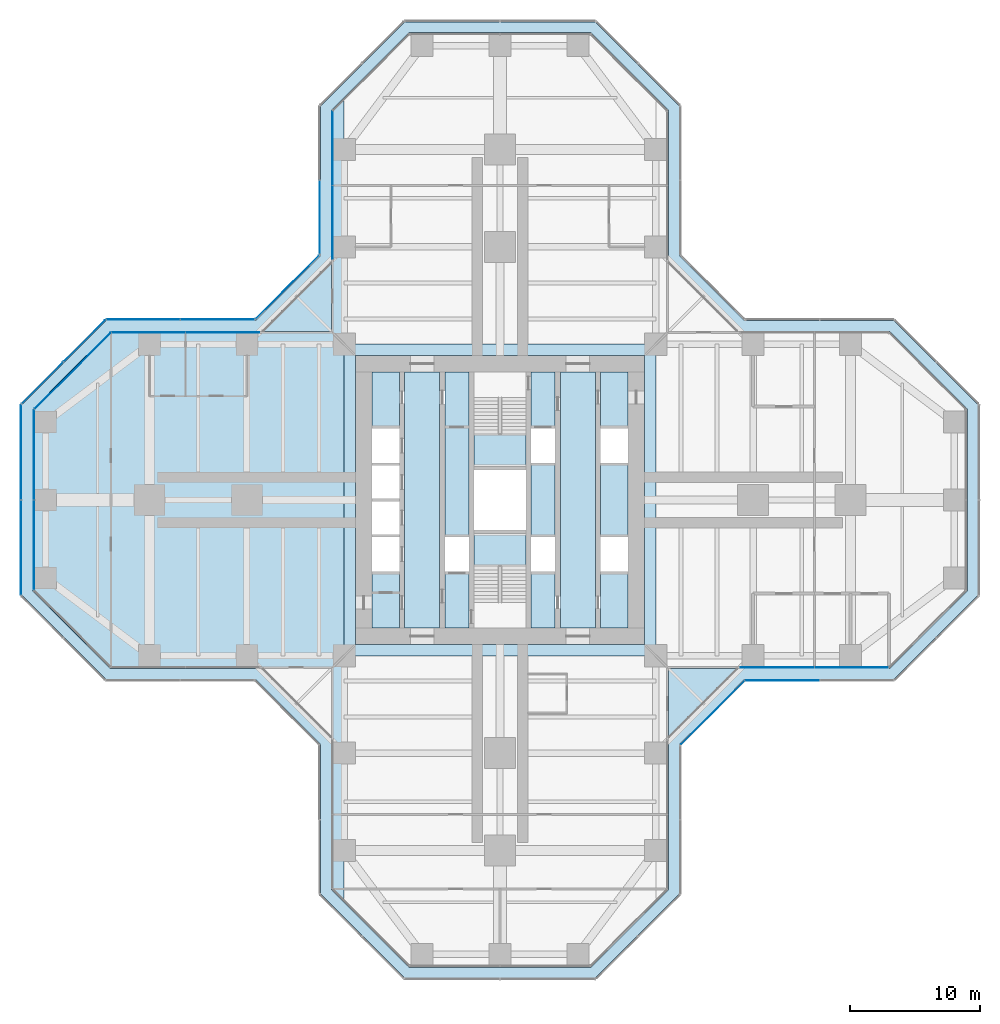
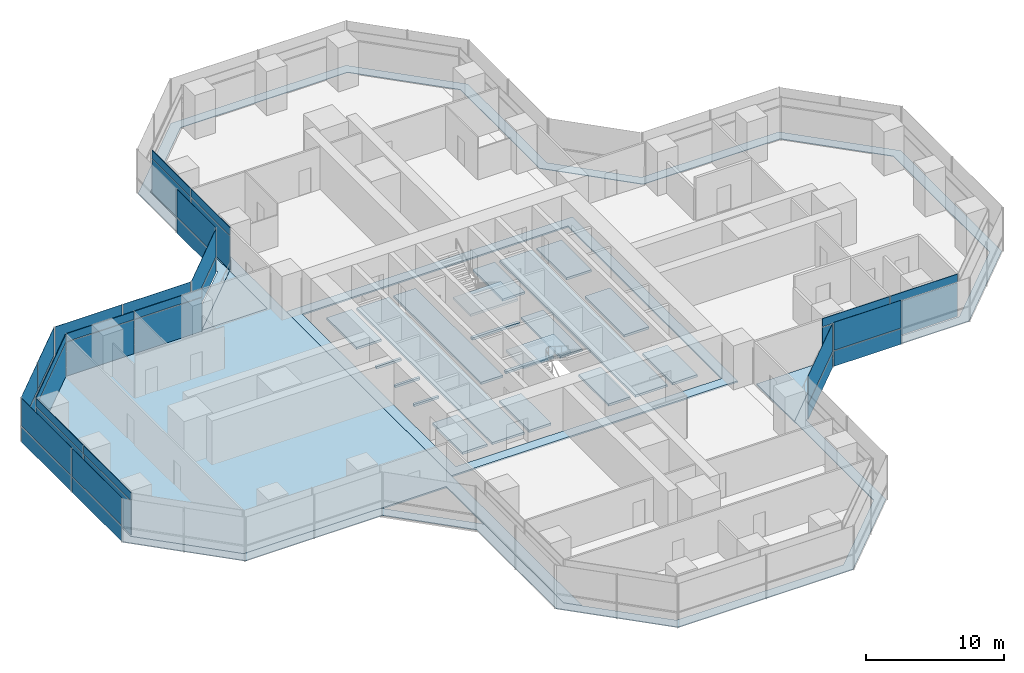
# One storey, part 15 of 22: 39 plates, 7 slabs, 14 elements without a shape of their own.
"""IFC4 building model written with IfcOpenShell, lengths in metres."""

from ifc_helpers import new_model, si_unit, direction, frame, origin, origin_2d, place, context, subcontext, project, spatial, polyline, rectangle, outline, extrude, material, layer, layer_set, type_object, element, aggregate, save


model = new_model("IFC4")

# Units and contexts
model_context = context("Model", 3, precision=1e-05, world=origin(), true_north=direction((0.0, 1.0)))
body_context = subcontext(model_context, "Body", "Model", "MODEL_VIEW")
ifc_project = project(units=[si_unit("LENGTHUNIT", "METRE"), si_unit("AREAUNIT", "SQUARE_METRE"), si_unit("VOLUMEUNIT", "CUBIC_METRE"), si_unit("PLANEANGLEUNIT", "RADIAN"), si_unit("MASSUNIT", "GRAM", prefix="KILO")], contexts=[model_context])

# Site, building, storey
site_placement = place(None, origin())
site = spatial("IfcSite", under=ifc_project, at=site_placement, CompositionType="ELEMENT")
building_placement = place(site_placement, origin())
building = spatial("IfcBuilding", under=site, at=building_placement, Name="Mizan Broadcast Tower", CompositionType="ELEMENT")
storey_placement = place(building_placement, frame((0.0, 0.0, 78.60009765625)))
storey = spatial("IfcBuildingStorey", under=building, at=storey_placement, Name="L16", CompositionType="ELEMENT", Elevation=78.60009765625)

# Plate
ifc_material_1 = material(Name="Aluminium grating", Category="aluminium")
ifc_layer_1 = layer(ifc_material_1, 0.050048828125)
ifc_layer_set_1 = layer_set([ifc_layer_1], Name="Aluminium grating")
plate_type_1 = type_object("IfcPlateType", Name="CAVITY GRATING", PredefinedType="USERDEFINED", material=ifc_layer_set_1)
plate_1_placement = place(storey_placement, frame((0.0, 0.0, -0.050048828125)))
element("IfcPlate", 1, at=plate_1_placement, inside=storey, type_object=plate_type_1, Name="Cavity grating L16", ObjectType="GRATING", PredefinedType="USERDEFINED", context=body_context, shape_type="SweptSolid", body=[
    extrude(outline(polyline([(13.820068359375, -18.839599609375), (18.839599609375, -13.820068359375), (30.339599609375, -13.820068359375), (36.820068359375, -7.339599609375), (36.820068359375, 7.339599609375), (30.339599609375, 13.820068359375), (18.839599609375, 13.820068359375), (13.820068359375, 18.839599609375), (13.820068359375, 30.339599609375), (7.339599609375, 36.820068359375), (-7.339599609375, 36.820068359375), (-13.820068359375, 30.339599609375), (-13.820068359375, 18.839599609375), (-18.839599609375, 13.820068359375), (-30.339599609375, 13.820068359375), (-36.820068359375, 7.339599609375), (-36.820068359375, -7.339599609375), (-30.339599609375, -13.820068359375), (-18.839599609375, -13.820068359375), (-13.820068359375, -18.839599609375), (-13.820068359375, -30.339599609375), (-7.339599609375, -36.820068359375), (7.339599609375, -36.820068359375), (13.820068359375, -30.339599609375), (13.820068359375, -18.839599609375)]), holes=[polyline([(36.0, 7.0), (36.0, -7.0), (30.0, -13.0), (18.5, -13.0), (13.0, -18.5), (13.0, -30.0), (7.0, -36.0), (-7.0, -36.0), (-13.0, -30.0), (-13.0, -18.5), (-18.5, -13.0), (-30.0, -13.0), (-36.0, -7.0), (-36.0, 7.0), (-30.0, 13.0), (-18.5, 13.0), (-13.0, 18.5), (-13.0, 30.0), (-7.0, 36.0), (7.0, 36.0), (13.0, 30.0), (13.0, 18.5), (18.5, 13.0), (30.0, 13.0), (36.0, 7.0)])]), origin(), (0.0, 0.0, 1.0), 0.050048828125),
])

# Slabs
ifc_material_2 = material(Name="Concrete C32/40", Category="concrete")
ifc_layer_2 = layer(ifc_material_2, 0.1298828125)
ifc_layer_set_2 = layer_set([ifc_layer_2], Name="Concrete C32/40")
slab_type_1 = type_object("IfcSlabType", Name="COMPOSITE DECK SLAB 130", PredefinedType="FLOOR", material=ifc_layer_set_2)
slab_1_placement = place(storey_placement, frame((0.0, 0.0, -0.130126953125)))
element("IfcSlab", 2, at=slab_1_placement, inside=storey, type_object=slab_type_1, Name="Floor slab L16 centre", PredefinedType="FLOOR", context=body_context, shape_type="SweptSolid", body=[
    extrude(outline(polyline([(-12.0, -12.0), (12.0, -12.0), (12.0, 12.0), (-12.0, 12.0), (-12.0, -12.0)]), holes=[polyline([(-11.14990234375, 11.14990234375), (11.14990234375, 11.14990234375), (11.14990234375, -11.14990234375), (-11.14990234375, -11.14990234375), (-11.14990234375, 11.14990234375)])]), origin(), (0.0, 0.0, 1.0), 0.130126953125),
])
slab_2_placement = place(storey_placement, frame((0.0, 0.0, -0.130126953125)))
element("IfcSlab", 3, at=slab_2_placement, inside=storey, type_object=slab_type_1, Name="Floor slab L16 west arm", PredefinedType="FLOOR", context=body_context, shape_type="SweptSolid", body=[
    extrude(outline(polyline([(-13.0, -30.0), (-12.0, -31.0), (-12.0, 31.0), (-13.0, 30.0), (-13.0, 13.0), (-30.0, 13.0), (-36.0, 7.0), (-36.0, -7.0), (-30.0, -13.0), (-13.0, -13.0), (-13.0, -30.0)])), origin(), (0.0, 0.0, 1.0), 0.130126953125),
])
ifc_material_3 = material(Name="Concrete C40/50", Category="concrete")
ifc_layer_3 = layer(ifc_material_3, 0.199951171875)
ifc_layer_set_3 = layer_set([ifc_layer_3], Name="Concrete C40/50")
slab_type_2 = type_object("IfcSlabType", Name="CORE FLOOR 200", PredefinedType="FLOOR", material=ifc_layer_set_3)
slab_3_placement = place(storey_placement, frame((0.0, 0.0, -0.2001953125)))
element("IfcSlab", 4, at=slab_3_placement, inside=storey, type_object=slab_type_2, Name="Core floor L16", PredefinedType="FLOOR", context=body_context, shape_type="SweptSolid", body=[
    extrude(outline(polyline([(-9.85009765625, -9.85009765625), (-7.75, -9.85009765625), (-7.75, -5.5), (-9.85009765625, -5.5), (-9.85009765625, -9.85009765625)])), origin(), (0.0, 0.0, 1.0), 0.2001953125),
    extrude(outline(polyline([(-9.85009765625, -2.85009765625), (-7.75, -2.85009765625), (-7.75, -2.64990234375), (-9.85009765625, -2.64990234375), (-9.85009765625, -2.85009765625)])), origin(), (0.0, 0.0, 1.0), 0.2001953125),
    extrude(outline(polyline([(-9.85009765625, -0.10009765625), (-7.75, -0.10009765625), (-7.75, 0.10009765625), (-9.85009765625, 0.10009765625), (-9.85009765625, -0.10009765625)])), origin(), (0.0, 0.0, 1.0), 0.2001953125),
    extrude(outline(polyline([(-9.85009765625, 2.64990234375), (-7.75, 2.64990234375), (-7.75, 2.85009765625), (-9.85009765625, 2.85009765625), (-9.85009765625, 2.64990234375)])), origin(), (0.0, 0.0, 1.0), 0.2001953125),
    extrude(outline(polyline([(-9.85009765625, 5.5), (-7.75, 5.5), (-7.75, 9.85009765625), (-9.85009765625, 9.85009765625), (-9.85009765625, 5.5)])), origin(), (0.0, 0.0, 1.0), 0.2001953125),
    extrude(outline(polyline([(-4.64990234375, 9.85009765625), (-7.35009765625, 9.85009765625), (-7.35009765625, -9.85009765625), (-4.64990234375, -9.85009765625), (-4.64990234375, 9.85009765625)])), origin(), (0.0, 0.0, 1.0), 0.2001953125),
    extrude(outline(polyline([(-4.25, -5.5), (-4.25, -9.85009765625), (-2.39990234375, -9.85009765625), (-2.39990234375, -5.5), (-4.25, -5.5)])), origin(), (0.0, 0.0, 1.0), 0.2001953125),
    extrude(outline(polyline([(-4.25, -2.85009765625), (-2.39990234375, -2.85009765625), (-2.39990234375, 9.85009765625), (-4.25, 9.85009765625), (-4.25, -2.85009765625)])), origin(), (0.0, 0.0, 1.0), 0.2001953125),
    extrude(outline(polyline([(2.0, -2.324951171875), (-2.0, -2.324951171875), (-2.0, -2.574951171875), (2.0, -2.574951171875), (2.0, -2.324951171875)])), origin(), (0.0, 0.0, 1.0), 0.2001953125),
    extrude(outline(polyline([(2.0, 2.574951171875), (-2.0, 2.574951171875), (-2.0, 2.324951171875), (2.0, 2.324951171875), (2.0, 2.574951171875)])), origin(), (0.0, 0.0, 1.0), 0.2001953125),
    extrude(outline(polyline([(4.25, -9.85009765625), (4.25, -5.5), (2.39990234375, -5.5), (2.39990234375, -9.85009765625), (4.25, -9.85009765625)])), origin(), (0.0, 0.0, 1.0), 0.2001953125),
    extrude(outline(polyline([(4.25, -2.85009765625), (4.25, 2.85009765625), (2.39990234375, 2.85009765625), (2.39990234375, -2.85009765625), (4.25, -2.85009765625)])), origin(), (0.0, 0.0, 1.0), 0.2001953125),
    extrude(outline(polyline([(4.25, 5.5), (4.25, 9.85009765625), (2.39990234375, 9.85009765625), (2.39990234375, 5.5), (4.25, 5.5)])), origin(), (0.0, 0.0, 1.0), 0.2001953125),
    extrude(outline(polyline([(4.64990234375, 9.85009765625), (4.64990234375, -9.85009765625), (7.35009765625, -9.85009765625), (7.35009765625, 9.85009765625), (4.64990234375, 9.85009765625)])), origin(), (0.0, 0.0, 1.0), 0.2001953125),
    extrude(outline(polyline([(9.85009765625, -9.85009765625), (9.85009765625, -5.5), (7.75, -5.5), (7.75, -9.85009765625), (9.85009765625, -9.85009765625)])), origin(), (0.0, 0.0, 1.0), 0.2001953125),
    extrude(outline(polyline([(7.75, 2.85009765625), (7.75, -2.85009765625), (9.85009765625, -2.85009765625), (9.85009765625, 2.85009765625), (7.75, 2.85009765625)])), origin(), (0.0, 0.0, 1.0), 0.2001953125),
    extrude(outline(polyline([(9.85009765625, 5.5), (9.85009765625, 9.85009765625), (7.75, 9.85009765625), (7.75, 5.5), (9.85009765625, 5.5)])), origin(), (0.0, 0.0, 1.0), 0.2001953125),
])

# Curtain wall, plates
ifc_material_4 = material(Name="Aluminium framed glazing", Category="aluminium")
curtain_wall_type_1 = type_object("IfcCurtainWallType", Name="INNER SKIN LOW ZONE", PredefinedType="USERDEFINED", material=ifc_material_4)
curtain_wall_1_placement = place(storey_placement, origin())
curtain_wall_1 = element("IfcCurtainWall", 5, at=curtain_wall_1_placement, inside=storey, type_object=curtain_wall_type_1, Name="Inner skin low zone L16 E side", ObjectType="INNER SKIN LOW ZONE", PredefinedType="USERDEFINED")
ifc_material_5 = material(Name="Double glazing, clear low-e", Category="glass")
ifc_layer_4 = layer(ifc_material_5, 0.028076171875)
ifc_layer_set_4 = layer_set([ifc_layer_4], Name="Double glazing, clear low-e")
plate_type_2 = type_object("IfcPlateType", Name="INNER SKIN GLAZING UNIT", PredefinedType="CURTAIN_PANEL", material=ifc_layer_set_4)
plate_2_placement = place(storey_placement, frame((21.379638671875, -12.89990234375, 0.0), z_axis=(0.0, 0.0, 1.0), x_axis=(1.0, 0.0, 0.0)))
plate_2 = element("IfcPlate", 6, at=plate_2_placement, type_object=plate_type_2, Name="Inner skin low zone L16 E side panel 1.1", PredefinedType="CURTAIN_PANEL", context=body_context, shape_type="SweptSolid", body=[
    extrude(rectangle(XDim=5.639404296875, YDim=0.028076171875, at=origin_2d()), origin(), (0.0, 0.0, 1.0), 3.0),
])
plate_3_placement = place(storey_placement, frame((27.078857421875, -12.89990234375, 0.0), z_axis=(0.0, 0.0, 1.0), x_axis=(1.0, 0.0, 0.0)))
plate_3 = element("IfcPlate", 7, at=plate_3_placement, type_object=plate_type_2, Name="Inner skin low zone L16 E side panel 2.1", PredefinedType="CURTAIN_PANEL", context=body_context, shape_type="SweptSolid", body=[
    extrude(rectangle(XDim=5.639404296875, YDim=0.028076171875, at=origin_2d()), origin(), (0.0, 0.0, 1.0), 3.0),
])

curtain_wall_2_placement = place(storey_placement, origin())
curtain_wall_2 = element("IfcCurtainWall", 8, at=curtain_wall_2_placement, inside=storey, type_object=curtain_wall_type_1, Name="Inner skin low zone L16 N side", ObjectType="INNER SKIN LOW ZONE", PredefinedType="USERDEFINED")
plate_4_placement = place(storey_placement, frame((-12.89990234375, 27.078857421875, 0.0), z_axis=(0.0, 0.0, 1.0), x_axis=(0.0, -1.0, 0.0)))
plate_4 = element("IfcPlate", 9, at=plate_4_placement, type_object=plate_type_2, Name="Inner skin low zone L16 N side panel 1.1", PredefinedType="CURTAIN_PANEL", context=body_context, shape_type="SweptSolid", body=[
    extrude(rectangle(XDim=5.639404296875, YDim=0.028076171875, at=origin_2d()), origin(), (0.0, 0.0, 1.0), 3.0),
])
plate_5_placement = place(storey_placement, frame((-12.89990234375, 21.379638671875, 0.0), z_axis=(0.0, 0.0, 1.0), x_axis=(0.0, -1.0, 0.0)))
plate_5 = element("IfcPlate", 10, at=plate_5_placement, type_object=plate_type_2, Name="Inner skin low zone L16 N side panel 2.1", PredefinedType="CURTAIN_PANEL", context=body_context, shape_type="SweptSolid", body=[
    extrude(rectangle(XDim=5.639404296875, YDim=0.028076171875, at=origin_2d()), origin(), (0.0, 0.0, 1.0), 3.0),
])

curtain_wall_3_placement = place(storey_placement, origin())
curtain_wall_3 = element("IfcCurtainWall", 11, at=curtain_wall_3_placement, inside=storey, type_object=curtain_wall_type_1, Name="Inner skin low zone L16 W side", ObjectType="INNER SKIN LOW ZONE", PredefinedType="USERDEFINED")
plate_6_placement = place(storey_placement, frame((-21.379638671875, 12.89990234375, 0.0), z_axis=(0.0, 0.0, 1.0), x_axis=(-1.0, 0.0, 0.0)))
plate_6 = element("IfcPlate", 12, at=plate_6_placement, type_object=plate_type_2, Name="Inner skin low zone L16 W side panel 1.1", PredefinedType="CURTAIN_PANEL", context=body_context, shape_type="SweptSolid", body=[
    extrude(rectangle(XDim=5.639404296875, YDim=0.028076171875, at=origin_2d()), origin(), (0.0, 0.0, 1.0), 3.0),
])
plate_7_placement = place(storey_placement, frame((-27.078857421875, 12.89990234375, 0.0), z_axis=(0.0, 0.0, 1.0), x_axis=(-1.0, 0.0, 0.0)))
plate_7 = element("IfcPlate", 13, at=plate_7_placement, type_object=plate_type_2, Name="Inner skin low zone L16 W side panel 2.1", PredefinedType="CURTAIN_PANEL", context=body_context, shape_type="SweptSolid", body=[
    extrude(rectangle(XDim=5.639404296875, YDim=0.028076171875, at=origin_2d()), origin(), (0.0, 0.0, 1.0), 3.0),
])

# Curtain wall, plate
curtain_wall_4_placement = place(storey_placement, origin())
curtain_wall_4 = element("IfcCurtainWall", 14, at=curtain_wall_4_placement, inside=storey, type_object=curtain_wall_type_1, Name="Inner skin low zone L16 W chamfer", ObjectType="INNER SKIN LOW ZONE", PredefinedType="USERDEFINED")
plate_8_placement = place(storey_placement, frame((-32.92919921875, 9.92919921875, 0.0), z_axis=(0.0, 0.0, 1.0), x_axis=(-0.707106781187, -0.707106781187, 0.0)))
plate_8 = element("IfcPlate", 15, at=plate_8_placement, type_object=plate_type_2, Name="Inner skin low zone L16 W chamfer panel 1.1", PredefinedType="CURTAIN_PANEL", context=body_context, shape_type="SweptSolid", body=[
    extrude(rectangle(XDim=8.282470703125, YDim=0.028076171875, at=origin_2d()), origin(), (0.0, 0.0, 1.0), 3.0),
])

# Curtain wall, plates
curtain_wall_5_placement = place(storey_placement, origin())
curtain_wall_5 = element("IfcCurtainWall", 16, at=curtain_wall_5_placement, inside=storey, type_object=curtain_wall_type_1, Name="Inner skin low zone L16 W end", ObjectType="INNER SKIN LOW ZONE", PredefinedType="USERDEFINED")
plate_9_placement = place(storey_placement, frame((-35.89990234375, 3.46435546875, 0.0), z_axis=(0.0, 0.0, 1.0), x_axis=(0.0, -1.0, 0.0)))
plate_9 = element("IfcPlate", 17, at=plate_9_placement, type_object=plate_type_2, Name="Inner skin low zone L16 W end panel 1.1", PredefinedType="CURTAIN_PANEL", context=body_context, shape_type="SweptSolid", body=[
    extrude(rectangle(XDim=6.86865234375, YDim=0.028076171875, at=origin_2d()), origin(), (0.0, 0.0, 1.0), 3.0),
])
plate_10_placement = place(storey_placement, frame((-35.89990234375, -3.46435546875, 0.0), z_axis=(0.0, 0.0, 1.0), x_axis=(0.0, -1.0, 0.0)))
plate_10 = element("IfcPlate", 18, at=plate_10_placement, type_object=plate_type_2, Name="Inner skin low zone L16 W end panel 2.1", PredefinedType="CURTAIN_PANEL", context=body_context, shape_type="SweptSolid", body=[
    extrude(rectangle(XDim=6.86865234375, YDim=0.028076171875, at=origin_2d()), origin(), (0.0, 0.0, 1.0), 3.0),
])

# Plate
ifc_material_6 = material(Name="Insulated aluminium spandrel panel, pale anodised", Category="aluminium")
ifc_layer_5 = layer(ifc_material_6, 0.050048828125)
ifc_layer_set_5 = layer_set([ifc_layer_5], Name="Insulated aluminium spandrel panel, pale anodised")
plate_type_3 = type_object("IfcPlateType", Name="INNER SKIN SPANDREL PANEL", PredefinedType="CURTAIN_PANEL", material=ifc_layer_set_5)
plate_11_placement = place(storey_placement, frame((21.379638671875, -12.89990234375, 3.059814453125), z_axis=(0.0, 0.0, 1.0), x_axis=(1.0, 0.0, 0.0)))
plate_11 = element("IfcPlate", 19, at=plate_11_placement, type_object=plate_type_3, Name="Inner skin low zone L16 E side panel 1.2", PredefinedType="CURTAIN_PANEL", context=body_context, shape_type="SweptSolid", body=[
    extrude(rectangle(XDim=5.639404296875, YDim=0.050048828125, at=origin_2d()), origin(), (0.0, 0.0, 1.0), 0.7099609375),
])

plate_12_placement = place(storey_placement, frame((27.078857421875, -12.89990234375, 3.059814453125), z_axis=(0.0, 0.0, 1.0), x_axis=(1.0, 0.0, 0.0)))
plate_12 = element("IfcPlate", 20, at=plate_12_placement, type_object=plate_type_3, Name="Inner skin low zone L16 E side panel 2.2", PredefinedType="CURTAIN_PANEL", context=body_context, shape_type="SweptSolid", body=[
    extrude(rectangle(XDim=5.639404296875, YDim=0.050048828125, at=origin_2d()), origin(), (0.0, 0.0, 1.0), 0.7099609375),
])

aggregate(curtain_wall_1, [plate_2, plate_11, plate_3, plate_12])

plate_13_placement = place(storey_placement, frame((-12.89990234375, 27.078857421875, 3.059814453125), z_axis=(0.0, 0.0, 1.0), x_axis=(0.0, -1.0, 0.0)))
plate_13 = element("IfcPlate", 21, at=plate_13_placement, type_object=plate_type_3, Name="Inner skin low zone L16 N side panel 1.2", PredefinedType="CURTAIN_PANEL", context=body_context, shape_type="SweptSolid", body=[
    extrude(rectangle(XDim=5.639404296875, YDim=0.050048828125, at=origin_2d()), origin(), (0.0, 0.0, 1.0), 0.7099609375),
])

plate_14_placement = place(storey_placement, frame((-12.89990234375, 21.379638671875, 3.059814453125), z_axis=(0.0, 0.0, 1.0), x_axis=(0.0, -1.0, 0.0)))
plate_14 = element("IfcPlate", 22, at=plate_14_placement, type_object=plate_type_3, Name="Inner skin low zone L16 N side panel 2.2", PredefinedType="CURTAIN_PANEL", context=body_context, shape_type="SweptSolid", body=[
    extrude(rectangle(XDim=5.639404296875, YDim=0.050048828125, at=origin_2d()), origin(), (0.0, 0.0, 1.0), 0.7099609375),
])

aggregate(curtain_wall_2, [plate_4, plate_13, plate_5, plate_14])

plate_15_placement = place(storey_placement, frame((-21.379638671875, 12.89990234375, 3.059814453125), z_axis=(0.0, 0.0, 1.0), x_axis=(-1.0, 0.0, 0.0)))
plate_15 = element("IfcPlate", 23, at=plate_15_placement, type_object=plate_type_3, Name="Inner skin low zone L16 W side panel 1.2", PredefinedType="CURTAIN_PANEL", context=body_context, shape_type="SweptSolid", body=[
    extrude(rectangle(XDim=5.639404296875, YDim=0.050048828125, at=origin_2d()), origin(), (0.0, 0.0, 1.0), 0.7099609375),
])

plate_16_placement = place(storey_placement, frame((-27.078857421875, 12.89990234375, 3.059814453125), z_axis=(0.0, 0.0, 1.0), x_axis=(-1.0, 0.0, 0.0)))
plate_16 = element("IfcPlate", 24, at=plate_16_placement, type_object=plate_type_3, Name="Inner skin low zone L16 W side panel 2.2", PredefinedType="CURTAIN_PANEL", context=body_context, shape_type="SweptSolid", body=[
    extrude(rectangle(XDim=5.639404296875, YDim=0.050048828125, at=origin_2d()), origin(), (0.0, 0.0, 1.0), 0.7099609375),
])

aggregate(curtain_wall_3, [plate_6, plate_15, plate_7, plate_16])

plate_17_placement = place(storey_placement, frame((-32.92919921875, 9.92919921875, 3.059814453125), z_axis=(0.0, 0.0, 1.0), x_axis=(-0.707106781187, -0.707106781187, 0.0)))
plate_17 = element("IfcPlate", 25, at=plate_17_placement, type_object=plate_type_3, Name="Inner skin low zone L16 W chamfer panel 1.2", PredefinedType="CURTAIN_PANEL", context=body_context, shape_type="SweptSolid", body=[
    extrude(rectangle(XDim=8.282470703125, YDim=0.050048828125, at=origin_2d()), origin(), (0.0, 0.0, 1.0), 0.7099609375),
])

aggregate(curtain_wall_4, [plate_8, plate_17])

plate_18_placement = place(storey_placement, frame((-35.89990234375, 3.46435546875, 3.059814453125), z_axis=(0.0, 0.0, 1.0), x_axis=(0.0, -1.0, 0.0)))
plate_18 = element("IfcPlate", 26, at=plate_18_placement, type_object=plate_type_3, Name="Inner skin low zone L16 W end panel 1.2", PredefinedType="CURTAIN_PANEL", context=body_context, shape_type="SweptSolid", body=[
    extrude(rectangle(XDim=6.86865234375, YDim=0.050048828125, at=origin_2d()), origin(), (0.0, 0.0, 1.0), 0.7099609375),
])

plate_19_placement = place(storey_placement, frame((-35.89990234375, -3.46435546875, 3.059814453125), z_axis=(0.0, 0.0, 1.0), x_axis=(0.0, -1.0, 0.0)))
plate_19 = element("IfcPlate", 27, at=plate_19_placement, type_object=plate_type_3, Name="Inner skin low zone L16 W end panel 2.2", PredefinedType="CURTAIN_PANEL", context=body_context, shape_type="SweptSolid", body=[
    extrude(rectangle(XDim=6.86865234375, YDim=0.050048828125, at=origin_2d()), origin(), (0.0, 0.0, 1.0), 0.7099609375),
])

aggregate(curtain_wall_5, [plate_9, plate_18, plate_10, plate_19])

# Curtain wall, plates
ifc_material_7 = material(Name="Aluminium framed glazing", Category="aluminium")
curtain_wall_type_2 = type_object("IfcCurtainWallType", Name="OUTER SKIN", PredefinedType="USERDEFINED", material=ifc_material_7)
curtain_wall_6_placement = place(storey_placement, origin())
curtain_wall_6 = element("IfcCurtainWall", 28, at=curtain_wall_6_placement, inside=storey, type_object=curtain_wall_type_2, Name="Outer skin L16 W chamfer", ObjectType="OUTER SKIN", PredefinedType="USERDEFINED")
ifc_material_8 = material(Name="Laminated clear glass", Category="glass")
ifc_layer_6 = layer(ifc_material_8, 0.02001953125)
ifc_layer_set_6 = layer_set([ifc_layer_6], Name="Laminated clear glass")
plate_type_4 = type_object("IfcPlateType", Name="OUTER SKIN CLEAR GLASS", PredefinedType="CURTAIN_PANEL", material=ifc_layer_set_6)
plate_20_placement = place(storey_placement, frame((-16.386474609375, 16.386474609375, -0.000244140625), z_axis=(0.0, 0.0, 1.0), x_axis=(-0.707106781187, -0.707106781187, 0.0)))
plate_20 = element("IfcPlate", 29, at=plate_20_placement, type_object=plate_type_4, Name="Outer skin L16 W chamfer panel 1.1", PredefinedType="CURTAIN_PANEL", context=body_context, shape_type="SweptSolid", body=[
    extrude(rectangle(XDim=6.87255859375, YDim=0.02001953125, at=origin_2d()), origin(), (0.0, 0.0, 1.0), 1.3701171875),
])
plate_21_placement = place(storey_placement, frame((-16.386474609375, 16.386474609375, 1.4296875), z_axis=(0.0, 0.0, 1.0), x_axis=(-0.707106781187, -0.707106781187, 0.0)))
plate_21 = element("IfcPlate", 30, at=plate_21_placement, type_object=plate_type_4, Name="Outer skin L16 W chamfer panel 1.2", PredefinedType="CURTAIN_PANEL", context=body_context, shape_type="SweptSolid", body=[
    extrude(rectangle(XDim=6.87255859375, YDim=0.02001953125, at=origin_2d()), origin(), (0.0, 0.0, 1.0), 2.469970703125),
])
aggregate(curtain_wall_6, [plate_20, plate_21])

curtain_wall_7_placement = place(storey_placement, origin())
curtain_wall_7 = element("IfcCurtainWall", 31, at=curtain_wall_7_placement, inside=storey, type_object=curtain_wall_type_2, Name="Outer skin L16 W side", ObjectType="OUTER SKIN", PredefinedType="USERDEFINED")
plate_22_placement = place(storey_placement, frame((-21.767822265625, 13.89990234375, -0.000244140625), z_axis=(0.0, 0.0, 1.0), x_axis=(-1.0, 0.0, 0.0)))
plate_22 = element("IfcPlate", 32, at=plate_22_placement, type_object=plate_type_4, Name="Outer skin L16 W side panel 1.1", PredefinedType="CURTAIN_PANEL", context=body_context, shape_type="SweptSolid", body=[
    extrude(rectangle(XDim=5.6298828125, YDim=0.02001953125, at=origin_2d()), origin(), (0.0, 0.0, 1.0), 1.3701171875),
])
plate_23_placement = place(storey_placement, frame((-21.767822265625, 13.89990234375, 1.4296875), z_axis=(0.0, 0.0, 1.0), x_axis=(-1.0, 0.0, 0.0)))
plate_23 = element("IfcPlate", 33, at=plate_23_placement, type_object=plate_type_4, Name="Outer skin L16 W side panel 1.2", PredefinedType="CURTAIN_PANEL", context=body_context, shape_type="SweptSolid", body=[
    extrude(rectangle(XDim=5.6298828125, YDim=0.02001953125, at=origin_2d()), origin(), (0.0, 0.0, 1.0), 2.469970703125),
])
plate_24_placement = place(storey_placement, frame((-27.477783203125, 13.89990234375, -0.000244140625), z_axis=(0.0, 0.0, 1.0), x_axis=(-1.0, 0.0, 0.0)))
plate_24 = element("IfcPlate", 34, at=plate_24_placement, type_object=plate_type_4, Name="Outer skin L16 W side panel 2.1", PredefinedType="CURTAIN_PANEL", context=body_context, shape_type="SweptSolid", body=[
    extrude(rectangle(XDim=5.6298828125, YDim=0.02001953125, at=origin_2d()), origin(), (0.0, 0.0, 1.0), 1.3701171875),
])
plate_25_placement = place(storey_placement, frame((-27.477783203125, 13.89990234375, 1.4296875), z_axis=(0.0, 0.0, 1.0), x_axis=(-1.0, 0.0, 0.0)))
plate_25 = element("IfcPlate", 35, at=plate_25_placement, type_object=plate_type_4, Name="Outer skin L16 W side panel 2.2", PredefinedType="CURTAIN_PANEL", context=body_context, shape_type="SweptSolid", body=[
    extrude(rectangle(XDim=5.6298828125, YDim=0.02001953125, at=origin_2d()), origin(), (0.0, 0.0, 1.0), 2.469970703125),
])
aggregate(curtain_wall_7, [plate_22, plate_23, plate_24, plate_25])

curtain_wall_8_placement = place(storey_placement, origin())
curtain_wall_8 = element("IfcCurtainWall", 36, at=curtain_wall_8_placement, inside=storey, type_object=curtain_wall_type_2, Name="Outer skin L16 W chamfer", ObjectType="OUTER SKIN", PredefinedType="USERDEFINED")
plate_26_placement = place(storey_placement, frame((-32.018798828125, 12.254150390625, -0.000244140625), z_axis=(0.0, 0.0, 1.0), x_axis=(-0.707106781187, -0.707106781187, 0.0)))
plate_26 = element("IfcPlate", 37, at=plate_26_placement, type_object=plate_type_4, Name="Outer skin L16 W chamfer panel 1.1", PredefinedType="CURTAIN_PANEL", context=body_context, shape_type="SweptSolid", body=[
    extrude(rectangle(XDim=4.495361328125, YDim=0.02001953125, at=origin_2d()), origin(), (0.0, 0.0, 1.0), 1.3701171875),
])
plate_27_placement = place(storey_placement, frame((-32.018798828125, 12.254150390625, 1.4296875), z_axis=(0.0, 0.0, 1.0), x_axis=(-0.707106781187, -0.707106781187, 0.0)))
plate_27 = element("IfcPlate", 38, at=plate_27_placement, type_object=plate_type_4, Name="Outer skin L16 W chamfer panel 1.2", PredefinedType="CURTAIN_PANEL", context=body_context, shape_type="SweptSolid", body=[
    extrude(rectangle(XDim=4.495361328125, YDim=0.02001953125, at=origin_2d()), origin(), (0.0, 0.0, 1.0), 2.469970703125),
])

curtain_wall_9_placement = place(storey_placement, origin())
curtain_wall_9 = element("IfcCurtainWall", 39, at=curtain_wall_9_placement, inside=storey, type_object=curtain_wall_type_2, Name="Outer skin L16 W end", ObjectType="OUTER SKIN", PredefinedType="USERDEFINED")
plate_28_placement = place(storey_placement, frame((-36.89990234375, 3.66650390625, -0.000244140625), z_axis=(0.0, 0.0, 1.0), x_axis=(0.0, -1.0, 0.0)))
plate_28 = element("IfcPlate", 40, at=plate_28_placement, type_object=plate_type_4, Name="Outer skin L16 W end panel 1.1", PredefinedType="CURTAIN_PANEL", context=body_context, shape_type="SweptSolid", body=[
    extrude(rectangle(XDim=7.252685546875, YDim=0.02001953125, at=origin_2d()), origin(), (0.0, 0.0, 1.0), 1.3701171875),
])
plate_29_placement = place(storey_placement, frame((-36.89990234375, 3.66650390625, 1.4296875), z_axis=(0.0, 0.0, 1.0), x_axis=(0.0, -1.0, 0.0)))
plate_29 = element("IfcPlate", 41, at=plate_29_placement, type_object=plate_type_4, Name="Outer skin L16 W end panel 1.2", PredefinedType="CURTAIN_PANEL", context=body_context, shape_type="SweptSolid", body=[
    extrude(rectangle(XDim=7.252685546875, YDim=0.02001953125, at=origin_2d()), origin(), (0.0, 0.0, 1.0), 2.469970703125),
])

curtain_wall_10_placement = place(storey_placement, origin())
curtain_wall_10 = element("IfcCurtainWall", 42, at=curtain_wall_10_placement, inside=storey, type_object=curtain_wall_type_2, Name="Outer skin L16 E chamfer", ObjectType="OUTER SKIN", PredefinedType="USERDEFINED")
plate_30_placement = place(storey_placement, frame((16.386474609375, -16.386474609375, -0.000244140625), z_axis=(0.0, 0.0, 1.0), x_axis=(0.707106781187, 0.707106781187, 0.0)))
plate_30 = element("IfcPlate", 43, at=plate_30_placement, type_object=plate_type_4, Name="Outer skin L16 E chamfer panel 1.1", PredefinedType="CURTAIN_PANEL", context=body_context, shape_type="SweptSolid", body=[
    extrude(rectangle(XDim=6.87255859375, YDim=0.02001953125, at=origin_2d()), origin(), (0.0, 0.0, 1.0), 1.3701171875),
])
plate_31_placement = place(storey_placement, frame((16.386474609375, -16.386474609375, 1.4296875), z_axis=(0.0, 0.0, 1.0), x_axis=(0.707106781187, 0.707106781187, 0.0)))
plate_31 = element("IfcPlate", 44, at=plate_31_placement, type_object=plate_type_4, Name="Outer skin L16 E chamfer panel 1.2", PredefinedType="CURTAIN_PANEL", context=body_context, shape_type="SweptSolid", body=[
    extrude(rectangle(XDim=6.87255859375, YDim=0.02001953125, at=origin_2d()), origin(), (0.0, 0.0, 1.0), 2.469970703125),
])
aggregate(curtain_wall_10, [plate_30, plate_31])

curtain_wall_11_placement = place(storey_placement, origin())
curtain_wall_11 = element("IfcCurtainWall", 45, at=curtain_wall_11_placement, inside=storey, type_object=curtain_wall_type_2, Name="Outer skin L16 E side", ObjectType="OUTER SKIN", PredefinedType="USERDEFINED")
plate_32_placement = place(storey_placement, frame((21.767822265625, -13.89990234375, -0.000244140625), z_axis=(0.0, 0.0, 1.0), x_axis=(1.0, 0.0, 0.0)))
plate_32 = element("IfcPlate", 46, at=plate_32_placement, type_object=plate_type_4, Name="Outer skin L16 E side panel 1.1", PredefinedType="CURTAIN_PANEL", context=body_context, shape_type="SweptSolid", body=[
    extrude(rectangle(XDim=5.6298828125, YDim=0.02001953125, at=origin_2d()), origin(), (0.0, 0.0, 1.0), 1.3701171875),
])
plate_33_placement = place(storey_placement, frame((21.767822265625, -13.89990234375, 1.4296875), z_axis=(0.0, 0.0, 1.0), x_axis=(1.0, 0.0, 0.0)))
plate_33 = element("IfcPlate", 47, at=plate_33_placement, type_object=plate_type_4, Name="Outer skin L16 E side panel 1.2", PredefinedType="CURTAIN_PANEL", context=body_context, shape_type="SweptSolid", body=[
    extrude(rectangle(XDim=5.6298828125, YDim=0.02001953125, at=origin_2d()), origin(), (0.0, 0.0, 1.0), 2.469970703125),
])
aggregate(curtain_wall_11, [plate_32, plate_33])

curtain_wall_12_placement = place(storey_placement, origin())
curtain_wall_12 = element("IfcCurtainWall", 48, at=curtain_wall_12_placement, inside=storey, type_object=curtain_wall_type_2, Name="Outer skin L16 N side", ObjectType="OUTER SKIN", PredefinedType="USERDEFINED")
ifc_material_9 = material(Name="Perforated aluminium, pale anodised", Category="aluminium")
ifc_layer_7 = layer(ifc_material_9, 0.011962890625)
ifc_layer_set_7 = layer_set([ifc_layer_7], Name="Perforated aluminium, pale anodised")
plate_type_5 = type_object("IfcPlateType", Name="OUTER SKIN PERFORATED SCREEN", PredefinedType="USERDEFINED", material=ifc_layer_set_7)
plate_34_placement = place(storey_placement, frame((-13.89990234375, 21.767822265625, -0.000244140625), z_axis=(0.0, 0.0, 1.0), x_axis=(0.0, -1.0, 0.0)))
plate_34 = element("IfcPlate", 49, at=plate_34_placement, type_object=plate_type_5, Name="Outer skin L16 N side panel 2.1", ObjectType="SCREEN", PredefinedType="USERDEFINED", context=body_context, shape_type="SweptSolid", body=[
    extrude(rectangle(XDim=5.6298828125, YDim=0.011962890625, at=origin_2d()), origin(), (0.0, 0.0, 1.0), 1.3701171875),
])
plate_35_placement = place(storey_placement, frame((-13.89990234375, 21.767822265625, 1.4296875), z_axis=(0.0, 0.0, 1.0), x_axis=(0.0, -1.0, 0.0)))
plate_35 = element("IfcPlate", 50, at=plate_35_placement, type_object=plate_type_5, Name="Outer skin L16 N side panel 2.2", ObjectType="SCREEN", PredefinedType="USERDEFINED", context=body_context, shape_type="SweptSolid", body=[
    extrude(rectangle(XDim=5.6298828125, YDim=0.011962890625, at=origin_2d()), origin(), (0.0, 0.0, 1.0), 2.469970703125),
])
aggregate(curtain_wall_12, [plate_34, plate_35])

# Plate
plate_36_placement = place(storey_placement, frame((-35.254150390625, 9.018798828125, -0.000244140625), z_axis=(0.0, 0.0, 1.0), x_axis=(-0.707106781187, -0.707106781187, 0.0)))
plate_36 = element("IfcPlate", 51, at=plate_36_placement, type_object=plate_type_5, Name="Outer skin L16 W chamfer panel 2.1", ObjectType="SCREEN", PredefinedType="USERDEFINED", context=body_context, shape_type="SweptSolid", body=[
    extrude(rectangle(XDim=4.495361328125, YDim=0.011962890625, at=origin_2d()), origin(), (0.0, 0.0, 1.0), 1.3701171875),
])

plate_37_placement = place(storey_placement, frame((-35.254150390625, 9.018798828125, 1.4296875), z_axis=(0.0, 0.0, 1.0), x_axis=(-0.707106781187, -0.707106781187, 0.0)))
plate_37 = element("IfcPlate", 52, at=plate_37_placement, type_object=plate_type_5, Name="Outer skin L16 W chamfer panel 2.2", ObjectType="SCREEN", PredefinedType="USERDEFINED", context=body_context, shape_type="SweptSolid", body=[
    extrude(rectangle(XDim=4.495361328125, YDim=0.011962890625, at=origin_2d()), origin(), (0.0, 0.0, 1.0), 2.469970703125),
])

aggregate(curtain_wall_8, [plate_26, plate_27, plate_36, plate_37])

plate_38_placement = place(storey_placement, frame((-36.89990234375, -3.66650390625, -0.000244140625), z_axis=(0.0, 0.0, 1.0), x_axis=(0.0, -1.0, 0.0)))
plate_38 = element("IfcPlate", 53, at=plate_38_placement, type_object=plate_type_5, Name="Outer skin L16 W end panel 2.1", ObjectType="SCREEN", PredefinedType="USERDEFINED", context=body_context, shape_type="SweptSolid", body=[
    extrude(rectangle(XDim=7.252685546875, YDim=0.011962890625, at=origin_2d()), origin(), (0.0, 0.0, 1.0), 1.3701171875),
])

plate_39_placement = place(storey_placement, frame((-36.89990234375, -3.66650390625, 1.4296875), z_axis=(0.0, 0.0, 1.0), x_axis=(0.0, -1.0, 0.0)))
plate_39 = element("IfcPlate", 54, at=plate_39_placement, type_object=plate_type_5, Name="Outer skin L16 W end panel 2.2", ObjectType="SCREEN", PredefinedType="USERDEFINED", context=body_context, shape_type="SweptSolid", body=[
    extrude(rectangle(XDim=7.252685546875, YDim=0.011962890625, at=origin_2d()), origin(), (0.0, 0.0, 1.0), 2.469970703125),
])

aggregate(curtain_wall_9, [plate_28, plate_29, plate_38, plate_39])

# Stair, slab
ifc_material_10 = material(Name="Concrete C40/50", Category="concrete")
stair_type = type_object("IfcStairType", Name="EXIT STAIR", PredefinedType="HALF_TURN_STAIR", material=ifc_material_10)
stair_1_placement = place(storey_placement, origin())
stair_1 = element("IfcStair", 55, at=stair_1_placement, inside=storey, type_object=stair_type, Name="Stair A L16", PredefinedType="HALF_TURN_STAIR")
ifc_material_11 = material(Name="Concrete C40/50", Category="concrete")
ifc_layer_8 = layer(ifc_material_11, 0.199951171875)
ifc_layer_set_8 = layer_set([ifc_layer_8], Name="Concrete C40/50")
slab_type_3 = type_object("IfcSlabType", Name="STAIR LANDING 200", PredefinedType="LANDING", material=ifc_layer_set_8)
slab_4_placement = place(storey_placement, frame((0.0, 0.0, 1.75)))
slab_4 = element("IfcSlab", 56, at=slab_4_placement, type_object=slab_type_3, Name="A landing 2", PredefinedType="LANDING", context=body_context, shape_type="SweptSolid", body=[
    extrude(outline(polyline([(-2.0, -5.10009765625), (-2.0, -2.574951171875), (2.0, -2.574951171875), (2.0, -5.10009765625), (-2.0, -5.10009765625)])), origin(), (0.0, 0.0, 1.0), 0.199951171875),
])
aggregate(stair_1, [slab_4])

stair_2_placement = place(storey_placement, origin())
stair_2 = element("IfcStair", 57, at=stair_2_placement, inside=storey, type_object=stair_type, Name="Stair B L16", PredefinedType="HALF_TURN_STAIR")
slab_5_placement = place(storey_placement, frame((0.0, 0.0, 1.75)))
slab_5 = element("IfcSlab", 58, at=slab_5_placement, type_object=slab_type_3, Name="B landing 2", PredefinedType="LANDING", context=body_context, shape_type="SweptSolid", body=[
    extrude(outline(polyline([(2.0, 5.10009765625), (2.0, 2.574951171875), (-2.0, 2.574951171875), (-2.0, 5.10009765625), (2.0, 5.10009765625)])), origin(), (0.0, 0.0, 1.0), 0.199951171875),
])
aggregate(stair_2, [slab_5])

# Slabs
ifc_material_12 = material(Name="Concrete C32/40", Category="concrete")
ifc_layer_9 = layer(ifc_material_12, 0.1298828125)
ifc_layer_set_9 = layer_set([ifc_layer_9], Name="Concrete C32/40")
slab_type_4 = type_object("IfcSlabType", Name="WINTER GARDEN SLAB 130", PredefinedType="FLOOR", material=ifc_layer_set_9)
slab_6_placement = place(storey_placement, frame((0.0, 0.0, -0.130126953125)))
element("IfcSlab", 59, at=slab_6_placement, inside=storey, type_object=slab_type_4, Name="Winter garden slab L16 N", PredefinedType="FLOOR", context=body_context, shape_type="SweptSolid", body=[
    extrude(outline(polyline([(-13.0, 13.0), (-13.0, 18.5), (-18.5, 13.0), (-13.0, 13.0)])), origin(), (0.0, 0.0, 1.0), 0.130126953125),
])
slab_7_placement = place(storey_placement, frame((0.0, 0.0, -0.130126953125)))
element("IfcSlab", 60, at=slab_7_placement, inside=storey, type_object=slab_type_4, Name="Winter garden slab L16 S", PredefinedType="FLOOR", context=body_context, shape_type="SweptSolid", body=[
    extrude(outline(polyline([(13.0, -13.0), (13.0, -18.5), (18.5, -13.0), (13.0, -13.0)])), origin(), (0.0, 0.0, 1.0), 0.130126953125),
])

save(model, "model.ifc")
